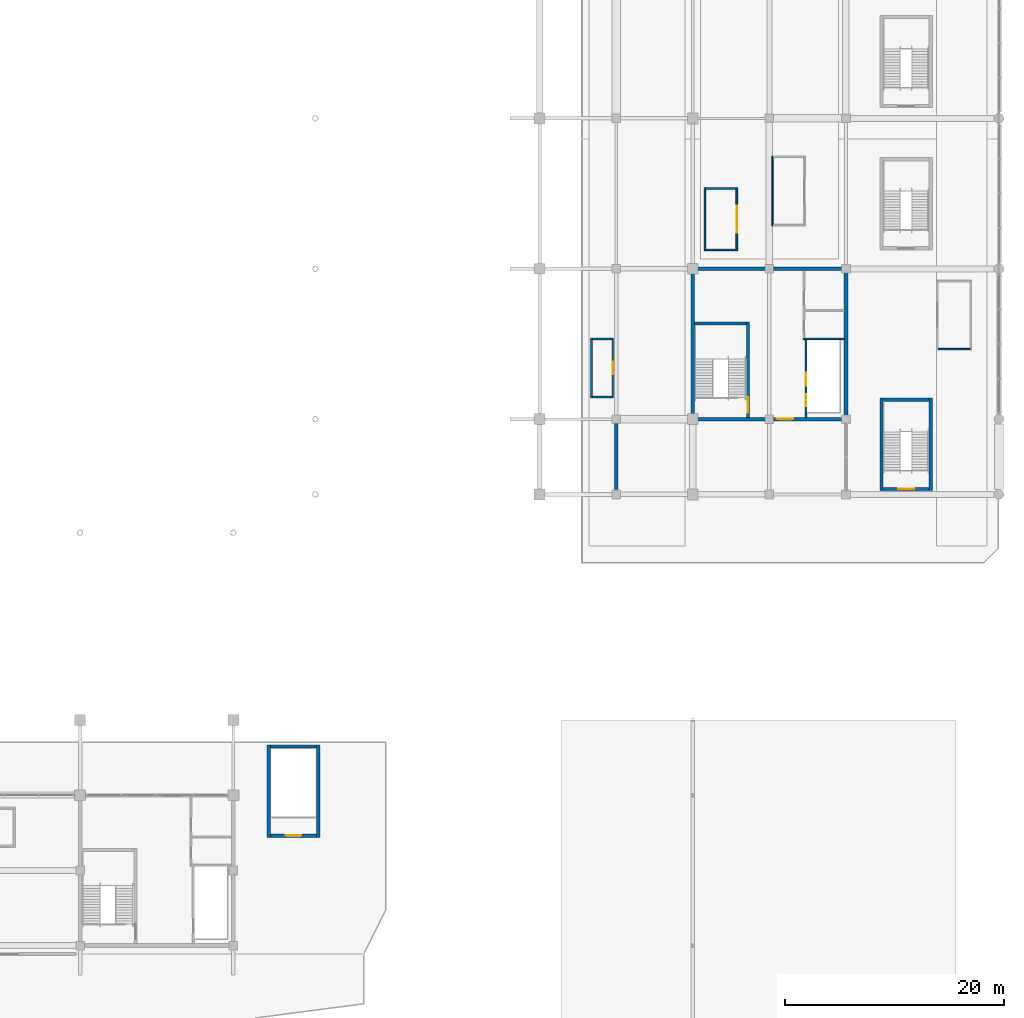
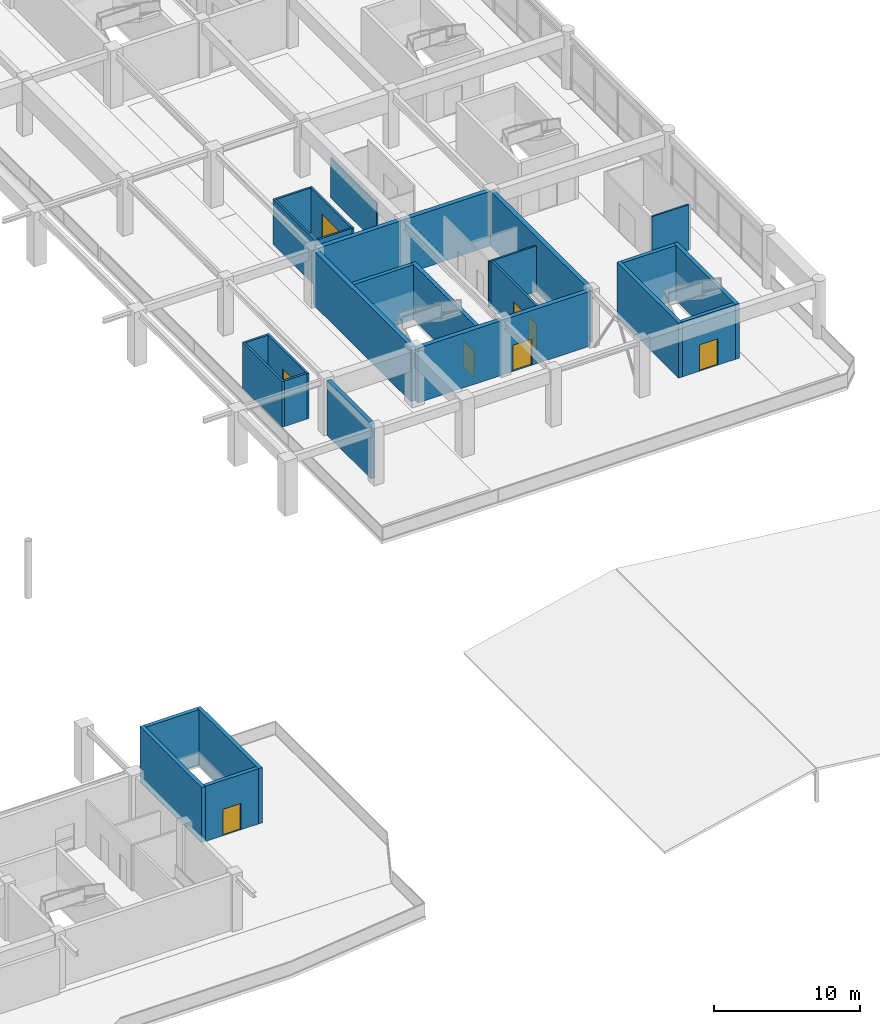
# One storey, part 68 of 91: 27 walls, 8 doors, 8 openings.
"""IFC4 building model written with IfcOpenShell, lengths in metres."""

import ifcopenshell
import ifcopenshell.guid

model = None  # the IFC model being written
_history = None  # IfcOwnerHistory: only IFC2X3 demands one
_inside = {}  # id of a spatial element -> (the spatial element, [elements in it])
_under = {}  # id of a project, library or spatial element -> (it, [spatial elements below it])
_declared = {}  # id of a project -> (the project, [libraries it declares])
_typed = {}  # id of a type object -> (the type object, [elements of that type])
_made_of = {}  # id of a material, layer set ... -> (it, [elements and type objects made of it])


def new_model(schema):
    """Start an empty IFC model of exactly this schema.

    Asked for "IFC4X3", IfcOpenShell would pick the latest addendum, in which some entities
    have other attributes; the version numbers below select the first issue.
    IFC2X3 requires an IfcOwnerHistory on every rooted entity: one is made here for all.
    """
    global model, _history
    if schema == "IFC4X3":
        model = ifcopenshell.file(schema_version=(4, 3, 0, 0))
    else:
        model = ifcopenshell.file(schema=schema)
    _inside.clear()
    _under.clear()
    _declared.clear()
    _typed.clear()
    _made_of.clear()
    _history = None
    if model.schema == "IFC2X3":
        org = make("IfcOrganization", Name="unknown")
        user = make(
            "IfcPersonAndOrganization",
            ThePerson=make("IfcPerson", FamilyName="unknown"),
            TheOrganization=org,
        )
        app = make(
            "IfcApplication",
            ApplicationDeveloper=org,
            Version="unknown",
            ApplicationFullName="unknown",
            ApplicationIdentifier="unknown",
        )
        _history = make(
            "IfcOwnerHistory",
            OwningUser=user,
            OwningApplication=app,
            ChangeAction="ADDED",
            CreationDate=0,
        )
    return model


def make(cls, **values):
    """One entity of the class cls with the attributes given. An attribute that is None is left unset."""
    return model.create_entity(
        cls, **{name: value for name, value in values.items() if value is not None}
    )


def rooted(cls, **values):
    """An entity with a GlobalId (a new one), such as an element, a storey or a relation."""
    return make(cls, GlobalId=ifcopenshell.guid.new(), OwnerHistory=_history, **values)


def si_unit(unit_type, name, prefix=None):
    """IfcSIUnit, for example si_unit("LENGTHUNIT", "METRE", prefix="MILLI")."""
    return make("IfcSIUnit", UnitType=unit_type, Prefix=prefix, Name=name)


def assignment(units):
    """IfcUnitAssignment: the units of a project."""
    return None if units is None else make("IfcUnitAssignment", Units=units)


def point(xyz):
    """IfcCartesianPoint."""
    return None if xyz is None else make("IfcCartesianPoint", Coordinates=xyz)


def direction(xyz):
    """IfcDirection."""
    return None if xyz is None else make("IfcDirection", DirectionRatios=xyz)


def frame(location, z_axis=None, x_axis=None):
    """IfcAxis2Placement3D, a coordinate frame: its origin and axes. An axis left out is left unset."""
    return make(
        "IfcAxis2Placement3D",
        Location=point(location),
        Axis=direction(z_axis),
        RefDirection=direction(x_axis),
    )


def frame_2d(location, x_axis=None):
    """IfcAxis2Placement2D, a coordinate frame in the plane: its origin and x axis."""
    return make(
        "IfcAxis2Placement2D", Location=point(location), RefDirection=direction(x_axis)
    )


def origin():
    """The frame at (0, 0, 0) with its axes left unset."""
    return frame((0.0, 0.0, 0.0))


def place(relative_to, where):
    """IfcLocalPlacement: puts the frame where relative to a parent placement (None: the world)."""
    return make(
        "IfcLocalPlacement", PlacementRelTo=relative_to, RelativePlacement=where
    )


def context(
    kind, dimensions, precision=None, world=None, true_north=None, identifier=None
):
    """IfcGeometricRepresentationContext, for example the 3D "Model" context."""
    return make(
        "IfcGeometricRepresentationContext",
        ContextIdentifier=identifier,
        ContextType=kind,
        CoordinateSpaceDimension=dimensions,
        Precision=precision,
        WorldCoordinateSystem=world,
        TrueNorth=true_north,
    )


def subcontext(parent, identifier, kind, view, scale=None):
    """IfcGeometricRepresentationSubContext, for example "Body" below "Model"."""
    return make(
        "IfcGeometricRepresentationSubContext",
        ContextIdentifier=identifier,
        ContextType=kind,
        ParentContext=parent,
        TargetScale=scale,
        TargetView=view,
    )


def project(units=None, contexts=None):
    """IfcProject with its units and contexts."""
    return rooted(
        "IfcProject",
        Name="project",
        RepresentationContexts=contexts,
        UnitsInContext=assignment(units),
    )


def spatial(cls, under=None, at=None, **own):
    """A site, building, storey or space (cls), placed at a placement, below another one or the project."""
    s = rooted(cls, ObjectPlacement=at, **own)
    if under is not None:
        _under.setdefault(under.id(), (under, []))[1].append(s)
    return s


def profile(cls, at=None, kind="AREA", **sizes):
    """A parametric profile (cls). Its sizes go by their IFC names, for example OverallWidth=200.0."""
    return make(cls, ProfileType=kind, Position=at, **sizes)


def rectangle(**sizes):
    """IfcRectangleProfileDef."""
    return profile("IfcRectangleProfileDef", **sizes)


def extrude(swept, where, along, depth):
    """IfcExtrudedAreaSolid: the profile swept, set in the frame where, extruded along a direction by depth."""
    return make(
        "IfcExtrudedAreaSolid",
        SweptArea=swept,
        Position=where,
        ExtrudedDirection=direction(along),
        Depth=depth,
    )


def shape(context_of_items, identifier, shape_type, items):
    """IfcShapeRepresentation: the items that make up one representation, for example the "Body"."""
    return make(
        "IfcShapeRepresentation",
        ContextOfItems=context_of_items,
        RepresentationIdentifier=identifier,
        RepresentationType=shape_type,
        Items=items,
    )


def material(Name=None, Category=None):
    """IfcMaterial."""
    return make("IfcMaterial", Name=Name, Category=Category)


def layer(
    of_material, thickness, ventilated=None, Name=None, Category=None, Priority=None
):
    """IfcMaterialLayer: one layer of a wall or slab, of a material (None: an air gap)."""
    return make(
        "IfcMaterialLayer",
        Material=of_material,
        LayerThickness=thickness,
        IsVentilated=ventilated,
        Name=Name,
        Category=Category,
        Priority=Priority,
    )


def layer_set(layers, Name=None):
    """IfcMaterialLayerSet."""
    return make("IfcMaterialLayerSet", MaterialLayers=layers, LayerSetName=Name)


def made_of(thing, what):
    """Note that an element or type object is made of a material, layer set ...; save() writes the relation."""
    if what is not None:
        _made_of.setdefault(what.id(), (what, []))[1].append(thing)
    return thing


def type_object(cls, material=None, **own):
    """A type object (cls), such as IfcWallType, which elements share."""
    return made_of(rooted(cls, **own), material)


def element(
    cls,
    number,
    at=None,
    inside=None,
    cuts=None,
    type_object=None,
    material=None,
    context=None,
    identifier="Body",
    shape_type=None,
    held_by="IfcProductDefinitionShape",
    body=None,
    shapes=None,
    **own,
):
    """One element of the class cls, such as IfcWall. Its Tag is "e" and its number.

    at: its placement. inside: the storey or other place that contains it. cuts: it is an
    opening in that element (IfcRelVoidsElement). A single representation is given by context,
    identifier, shape_type and body (its items); several are given by shapes. held_by: the class
    of the entity that holds the representations. save() writes the other relations.
    """
    e = rooted(cls, Tag="e%d" % number, ObjectPlacement=at, **own)
    if body is not None:
        shapes = [shape(context, identifier, shape_type, body)]
    if shapes is not None:
        e.Representation = make(held_by, Representations=shapes)
    if inside is not None:
        _inside.setdefault(inside.id(), (inside, []))[1].append(e)
    if cuts is not None:
        rooted(
            "IfcRelVoidsElement", RelatingBuildingElement=cuts, RelatedOpeningElement=e
        )
    if type_object is not None:
        _typed.setdefault(type_object.id(), (type_object, []))[1].append(e)
    return made_of(e, material)


def fill(opening, filler):
    """IfcRelFillsElement: the door or window that sits in an opening."""
    return rooted(
        "IfcRelFillsElement",
        RelatingOpeningElement=opening,
        RelatedBuildingElement=filler,
    )


def aggregate(whole, parts):
    """IfcRelAggregates: a whole, such as a stair, and the parts it consists of."""
    return rooted("IfcRelAggregates", RelatingObject=whole, RelatedObjects=parts)


def save(model, path):
    """Write the relations noted so far, then the file.

    IfcRelAggregates (storeys below a building ...), IfcRelContainedInSpatialStructure (elements
    in a storey), IfcRelDefinesByType, IfcRelAssociatesMaterial and IfcRelDeclares: one each for
    every whole, place, type object, material and project.
    """
    for whole, parts in _under.values():
        aggregate(whole, parts)
    for where, things in _inside.values():
        rooted(
            "IfcRelContainedInSpatialStructure",
            RelatedElements=things,
            RelatingStructure=where,
        )
    for kind, things in _typed.values():
        rooted("IfcRelDefinesByType", RelatedObjects=things, RelatingType=kind)
    for what, things in _made_of.values():
        rooted("IfcRelAssociatesMaterial", RelatedObjects=things, RelatingMaterial=what)
    for by, libraries in _declared.values():
        rooted("IfcRelDeclares", RelatingContext=by, RelatedDefinitions=libraries)
    model.write(path)


model = new_model("IFC4")

# Units and contexts
model_context = context("Model", 3, precision=1e-05, world=origin(), true_north=direction((0.0, 1.0)))
body_context = subcontext(model_context, "Body", "Model", "MODEL_VIEW")
ifc_project = project(units=[si_unit("LENGTHUNIT", "METRE"), si_unit("AREAUNIT", "SQUARE_METRE"), si_unit("VOLUMEUNIT", "CUBIC_METRE"), si_unit("PLANEANGLEUNIT", "RADIAN"), si_unit("MASSUNIT", "GRAM", prefix="KILO")], contexts=[model_context])

# Site, building, storey
site_placement = place(None, origin())
site = spatial("IfcSite", under=ifc_project, at=site_placement, CompositionType="ELEMENT")
building_placement = place(site_placement, origin())
building = spatial("IfcBuilding", under=site, at=building_placement, Name="Linyun Crest Stadium", CompositionType="ELEMENT")
storey_placement = place(building_placement, frame((0.0, 0.0, 11.39990234375)))
storey = spatial("IfcBuildingStorey", under=building, at=storey_placement, Name="L03", CompositionType="ELEMENT", Elevation=11.39990234375)

# Walls
ifc_material_1 = material(Name="Concrete C50", Category="concrete")
ifc_layer_1 = layer(ifc_material_1, 0.35009765625)
ifc_layer_set_1 = layer_set([ifc_layer_1], Name="Concrete C50")
wall_type_1 = type_object("IfcWallType", Name="CW01", PredefinedType="SHEAR", material=ifc_layer_set_1)
for number, where, z_axis, x_axis, name in (
    (1, (70.0, -38.949951171875, 0.0), (0.0, 0.0, 1.0), (0.0, 1.0, 0.0), "Core shear wall CW01 CORE-E1 L03.1"),
    (2, (84.0, -38.949951171875, 0.0), (0.0, 0.0, 1.0), (0.0, 1.0, 0.0), "Core shear wall CW01 CORE-E1 L03.2"),
):
    element("IfcWall", number, at=place(storey_placement, frame(where, z_axis=z_axis, x_axis=x_axis)), inside=storey, type_object=wall_type_1, Name=name, PredefinedType="SHEAR", context=body_context, shape_type="SweptSolid", body=[
        extrude(rectangle(XDim=13.39990234375, YDim=0.35009765625, at=frame_2d((6.699951171875, 0.0))), origin(), (0.0, 0.0, 1.0), 4.580078125),
    ])

# Wall, opening, door
wall_1_placement = place(storey_placement, frame((70.175048828125, -39.125, 0.0), z_axis=(0.0, 0.0, 1.0), x_axis=(1.0, 0.0, 0.0)))
wall_1 = element("IfcWall", 3, at=wall_1_placement, inside=storey, type_object=wall_type_1, Name="Core shear wall CW01 CORE-E1 L03.3", PredefinedType="SHEAR", context=body_context, shape_type="SweptSolid", body=[
    extrude(rectangle(XDim=13.64990234375, YDim=0.35009765625, at=frame_2d((6.824951171875, 0.0))), origin(), (0.0, 0.0, 1.0), 4.580078125),
])
opening_1_placement = place(wall_1_placement, frame((7.508056640625, 0.0, 0.0)))
opening_1 = element("IfcOpeningElement", 4, at=opening_1_placement, cuts=wall_1, Name="Opening D-L03-166", PredefinedType="OPENING", context=body_context, shape_type="SweptSolid", body=[
    extrude(rectangle(XDim=1.5, YDim=2.199951171875, at=frame_2d((0.75, 1.10009765625))), frame((0.0, 0.18505859375, 0.0), z_axis=(0.0, -1.0, 0.0), x_axis=(1.0, 0.0, 0.0)), (0.0, 0.0, 1.0), 0.3701171875),
])
ifc_material_2 = material(Name="Galvanized steel Class A fire door", Category="steel")
ifc_layer_2 = layer(ifc_material_2, 0.054931640625)
ifc_layer_set_2 = layer_set([ifc_layer_2], Name="Galvanized steel Class A fire door")
door_type_1 = type_object("IfcDoorType", Name="FD01", OperationType="NOTDEFINED", PredefinedType="DOOR", material=ifc_layer_set_2)
door_1_placement = place(opening_1_placement, origin())
door_1 = element("IfcDoor", 5, at=door_1_placement, inside=storey, type_object=door_type_1, Name="Door D-L03-166", OperationType="SINGLE_SWING_RIGHT", OverallHeight=2.199951171875, OverallWidth=1.5, PredefinedType="DOOR", context=body_context, shape_type="SweptSolid", body=[
    extrude(rectangle(XDim=1.5, YDim=2.199951171875, at=frame_2d((0.75, 1.10009765625))), frame((0.0, 0.02490234375, 0.0), z_axis=(0.0, -1.0, 0.0), x_axis=(1.0, 0.0, 0.0)), (0.0, 0.0, 1.0), 0.050048828125),
])
fill(opening_1, door_1)

# Wall
wall_2_placement = place(storey_placement, frame((70.175048828125, -25.375, 0.0), z_axis=(0.0, 0.0, 1.0), x_axis=(1.0, 0.0, 0.0)))
element("IfcWall", 6, at=wall_2_placement, inside=storey, type_object=wall_type_1, Name="Core shear wall CW01 CORE-E1 L03.4", PredefinedType="SHEAR", context=body_context, shape_type="SweptSolid", body=[
    extrude(rectangle(XDim=13.64990234375, YDim=0.35009765625, at=frame_2d((6.824951171875, 0.0))), origin(), (0.0, 0.0, 1.0), 4.580078125),
])

# Wall, openings, doors
ifc_material_3 = material(Name="Autoclaved aerated concrete block fire partition", Category="concrete")
ifc_layer_3 = layer(ifc_material_3, 0.179931640625)
ifc_layer_set_3 = layer_set([ifc_layer_3], Name="Autoclaved aerated concrete block fire partition")
wall_type_2 = type_object("IfcWallType", Name="PW12", PredefinedType="PARTITIONING", material=ifc_layer_set_3)
wall_3_placement = place(storey_placement, frame((80.35009765625, -38.949951171875, 0.0), z_axis=(0.0, 0.0, 1.0), x_axis=(0.0, 1.0, 0.0)))
wall_3 = element("IfcWall", 7, at=wall_3_placement, inside=storey, type_object=wall_type_2, Name="Partition PW12 L03 63", PredefinedType="PARTITIONING", context=body_context, shape_type="SweptSolid", body=[
    extrude(rectangle(XDim=7.10498046875, YDim=0.179931640625, at=frame_2d((3.552490234375, 0.0))), origin(), (0.0, 0.0, 1.0), 3.820068359375),
])
opening_2_placement = place(wall_3_placement, frame((1.02490234375, 0.0, 0.0)))
opening_2 = element("IfcOpeningElement", 8, at=opening_2_placement, cuts=wall_3, Name="Opening LD055", PredefinedType="OPENING", context=body_context, shape_type="SweptSolid", body=[
    extrude(rectangle(XDim=1.10009765625, YDim=2.199951171875, at=frame_2d((0.550048828125, 1.10009765625))), frame((0.0, 0.099853515625, 0.0), z_axis=(0.0, -1.0, 0.0), x_axis=(1.0, 0.0, 0.0)), (0.0, 0.0, 1.0), 0.199951171875),
])
opening_3_placement = place(wall_3_placement, frame((2.875, 0.0, 0.0)))
opening_3 = element("IfcOpeningElement", 9, at=opening_3_placement, cuts=wall_3, Name="Opening LD056", PredefinedType="OPENING", context=body_context, shape_type="SweptSolid", body=[
    extrude(rectangle(XDim=1.199951171875, YDim=2.25, at=frame_2d((0.60009765625, 1.125))), frame((0.0, 0.099853515625, 0.0), z_axis=(0.0, -1.0, 0.0), x_axis=(1.0, 0.0, 0.0)), (0.0, 0.0, 1.0), 0.199951171875),
])
ifc_material_4 = material(Name="Brushed stainless sliding lift door")
ifc_layer_4 = layer(ifc_material_4, 0.050048828125)
ifc_layer_set_4 = layer_set([ifc_layer_4], Name="Brushed stainless sliding lift door")
door_type_2 = type_object("IfcDoorType", Name="LD01", OperationType="NOTDEFINED", PredefinedType="DOOR", material=ifc_layer_set_4)
door_2_placement = place(opening_2_placement, origin())
door_2 = element("IfcDoor", 10, at=door_2_placement, inside=storey, type_object=door_type_2, Name="Lift landing door LD055", OperationType="DOUBLE_DOOR_SLIDING", OverallHeight=2.199951171875, OverallWidth=1.10009765625, PredefinedType="DOOR", context=body_context, shape_type="SweptSolid", body=[
    extrude(rectangle(XDim=1.10009765625, YDim=2.199951171875, at=frame_2d((0.550048828125, 1.10009765625))), frame((0.0, 0.02490234375, 0.0), z_axis=(0.0, -1.0, 0.0), x_axis=(1.0, 0.0, 0.0)), (0.0, 0.0, 1.0), 0.050048828125),
])
fill(opening_2, door_2)
ifc_material_5 = material(Name="Brushed stainless sliding lift door")
ifc_layer_5 = layer(ifc_material_5, 0.050048828125)
ifc_layer_set_5 = layer_set([ifc_layer_5], Name="Brushed stainless sliding lift door")
door_type_3 = type_object("IfcDoorType", Name="LD02", OperationType="NOTDEFINED", PredefinedType="DOOR", material=ifc_layer_set_5)
door_3_placement = place(opening_3_placement, origin())
door_3 = element("IfcDoor", 11, at=door_3_placement, inside=storey, type_object=door_type_3, Name="Lift landing door LD056", OperationType="DOUBLE_DOOR_SLIDING", OverallHeight=2.25, OverallWidth=1.199951171875, PredefinedType="DOOR", context=body_context, shape_type="SweptSolid", body=[
    extrude(rectangle(XDim=1.199951171875, YDim=2.25, at=frame_2d((0.60009765625, 1.125))), frame((0.0, 0.02490234375, 0.0), z_axis=(0.0, -1.0, 0.0), x_axis=(1.0, 0.0, 0.0)), (0.0, 0.0, 1.0), 0.050048828125),
])
fill(opening_3, door_3)

# Wall, opening, door
ifc_material_6 = material(Name="Double steel-stud acoustic fire partition", Category="steel")
ifc_layer_6 = layer(ifc_material_6, 0.1650390625)
ifc_layer_set_6 = layer_set([ifc_layer_6], Name="Double steel-stud acoustic fire partition")
wall_type_3 = type_object("IfcWallType", Name="PW13", PredefinedType="PARTITIONING", material=ifc_layer_set_6)
wall_4_placement = place(storey_placement, frame((62.68798828125, -31.7119140625, 0.0), z_axis=(0.0, 0.0, 1.0), x_axis=(0.0, -1.0, 0.0)))
wall_4 = element("IfcWall", 12, at=wall_4_placement, inside=storey, type_object=wall_type_3, Name="Partition PW13 L03 206", PredefinedType="PARTITIONING", context=body_context, shape_type="SweptSolid", body=[
    extrude(rectangle(XDim=5.469970703125, YDim=0.1650390625, at=frame_2d((2.73486328125, 0.0))), origin(), (0.0, 0.0, 1.0), 3.820068359375),
])
opening_4_placement = place(wall_4_placement, frame((2.159912109375, 0.0, 0.0)))
opening_4 = element("IfcOpeningElement", 13, at=opening_4_placement, cuts=wall_4, Name="Opening D-L03-469", PredefinedType="OPENING", context=body_context, shape_type="SweptSolid", body=[
    extrude(rectangle(XDim=1.14990234375, YDim=2.199951171875, at=frame_2d((0.574951171875, 1.10009765625))), frame((0.0, 0.092529296875, 0.0), z_axis=(0.0, -1.0, 0.0), x_axis=(1.0, 0.0, 0.0)), (0.0, 0.0, 1.0), 0.18505859375),
])
ifc_material_7 = material(Name="Solid timber acoustic door", Category="wood")
ifc_layer_7 = layer(ifc_material_7, 0.050048828125)
ifc_layer_set_7 = layer_set([ifc_layer_7], Name="Solid timber acoustic door")
door_type_4 = type_object("IfcDoorType", Name="ID15", OperationType="NOTDEFINED", PredefinedType="DOOR", material=ifc_layer_set_7)
door_4_placement = place(opening_4_placement, origin())
door_4 = element("IfcDoor", 14, at=door_4_placement, inside=storey, type_object=door_type_4, Name="Door D-L03-469", OperationType="SINGLE_SWING_LEFT", OverallHeight=2.199951171875, OverallWidth=1.14990234375, PredefinedType="DOOR", context=body_context, shape_type="SweptSolid", body=[
    extrude(rectangle(XDim=1.14990234375, YDim=2.199951171875, at=frame_2d((0.574951171875, 1.10009765625))), frame((0.0, 0.02490234375, 0.0), z_axis=(0.0, -1.0, 0.0), x_axis=(1.0, 0.0, 0.0)), (0.0, 0.0, 1.0), 0.050048828125),
])
fill(opening_4, door_4)

# Walls
wall_5_placement = place(storey_placement, frame((60.748046875, -37.181884765625, 0.0), z_axis=(0.0, 0.0, 1.0), x_axis=(0.0, 1.0, 0.0)))
element("IfcWall", 15, at=wall_5_placement, inside=storey, type_object=wall_type_3, Name="Enclosure partition PW13 L03 334", PredefinedType="PARTITIONING", context=body_context, shape_type="SweptSolid", body=[
    extrude(rectangle(XDim=5.469970703125, YDim=0.1650390625, at=frame_2d((2.73486328125, 0.0))), origin(), (0.0, 0.0, 1.0), 3.820068359375),
])
for number, where, z_axis, x_axis, name in (
    (16, (60.8310546875, -37.09912109375, 0.0), (0.0, 0.0, 1.0), (1.0, 0.0, 0.0), "Enclosure partition PW13 L03 335"),
    (17, (60.8310546875, -31.794921875, 0.0), (0.0, 0.0, 1.0), (1.0, 0.0, 0.0), "Enclosure partition PW13 L03 336"),
):
    element("IfcWall", number, at=place(storey_placement, frame(where, z_axis=z_axis, x_axis=x_axis)), inside=storey, type_object=wall_type_3, Name=name, PredefinedType="PARTITIONING", context=body_context, shape_type="SweptSolid", body=[
        extrude(rectangle(XDim=1.77392578125, YDim=0.1650390625, at=frame_2d((0.886962890625, 0.0))), origin(), (0.0, 0.0, 1.0), 3.820068359375),
    ])

# Wall, opening, door
ifc_material_8 = material(Name="Steel-stud gypsum corridor fire partition", Category="steel")
ifc_layer_8 = layer(ifc_material_8, 0.14990234375)
ifc_layer_set_8 = layer_set([ifc_layer_8], Name="Steel-stud gypsum corridor fire partition")
wall_type_4 = type_object("IfcWallType", Name="PW14", PredefinedType="PARTITIONING", material=ifc_layer_set_8)
wall_6_placement = place(storey_placement, frame((74.02392578125, -17.965087890625, 0.0), z_axis=(0.0, 0.0, 1.0), x_axis=(0.0, -1.0, 0.0)))
wall_6 = element("IfcWall", 18, at=wall_6_placement, inside=storey, type_object=wall_type_4, Name="Partition PW14 L03 207", PredefinedType="PARTITIONING", context=body_context, shape_type="SweptSolid", body=[
    extrude(rectangle(XDim=5.760009765625, YDim=0.14990234375, at=frame_2d((2.8798828125, 0.0))), origin(), (0.0, 0.0, 1.0), 3.820068359375),
])
opening_5_placement = place(wall_6_placement, frame((1.6298828125, 0.0, 0.0)))
opening_5 = element("IfcOpeningElement", 19, at=opening_5_placement, cuts=wall_6, Name="Opening D-L03-470", PredefinedType="OPENING", context=body_context, shape_type="SweptSolid", body=[
    extrude(rectangle(XDim=2.5, YDim=2.5, at=frame_2d((1.25, 1.25))), frame((0.0, 0.0849609375, 0.0), z_axis=(0.0, -1.0, 0.0), x_axis=(1.0, 0.0, 0.0)), (0.0, 0.0, 1.0), 0.169921875),
])
ifc_material_9 = material(Name="Verdigris framed glazed concourse door")
ifc_layer_9 = layer(ifc_material_9, 0.054931640625)
ifc_layer_set_9 = layer_set([ifc_layer_9], Name="Verdigris framed glazed concourse door")
door_type_5 = type_object("IfcDoorType", Name="ID16", OperationType="NOTDEFINED", PredefinedType="DOOR", material=ifc_layer_set_9)
door_5_placement = place(opening_5_placement, origin())
door_5 = element("IfcDoor", 20, at=door_5_placement, inside=storey, type_object=door_type_5, Name="Door D-L03-470", OperationType="DOUBLE_DOOR_SINGLE_SWING", OverallHeight=2.5, OverallWidth=2.5, PredefinedType="DOOR", context=body_context, shape_type="SweptSolid", body=[
    extrude(rectangle(XDim=2.5, YDim=2.5, at=frame_2d((1.25, 1.25))), frame((0.0, 0.02490234375, 0.0), z_axis=(0.0, -1.0, 0.0), x_axis=(1.0, 0.0, 0.0)), (0.0, 0.0, 1.0), 0.050048828125),
])
fill(opening_5, door_5)

# Walls
wall_7_placement = place(storey_placement, frame((71.10400390625, -23.72509765625, 0.0), z_axis=(0.0, 0.0, 1.0), x_axis=(0.0, 1.0, 0.0)))
element("IfcWall", 21, at=wall_7_placement, inside=storey, type_object=wall_type_4, Name="Enclosure partition PW14 L03 337", PredefinedType="PARTITIONING", context=body_context, shape_type="SweptSolid", body=[
    extrude(rectangle(XDim=5.760009765625, YDim=0.14990234375, at=frame_2d((2.8798828125, 0.0))), origin(), (0.0, 0.0, 1.0), 3.820068359375),
])
for number, where, z_axis, x_axis, name in (
    (22, (71.178955078125, -23.64990234375, 0.0), (0.0, 0.0, 1.0), (1.0, 0.0, 0.0), "Enclosure partition PW14 L03 338"),
    (23, (71.178955078125, -18.0400390625, 0.0), (0.0, 0.0, 1.0), (1.0, 0.0, 0.0), "Enclosure partition PW14 L03 339"),
):
    element("IfcWall", number, at=place(storey_placement, frame(where, z_axis=z_axis, x_axis=x_axis)), inside=storey, type_object=wall_type_4, Name=name, PredefinedType="PARTITIONING", context=body_context, shape_type="SweptSolid", body=[
        extrude(rectangle(XDim=2.77001953125, YDim=0.14990234375, at=frame_2d((1.385009765625, 0.0))), origin(), (0.0, 0.0, 1.0), 3.820068359375),
    ])
ifc_material_10 = material(Name="Moisture-resistant ceramic-tiled wet-room wall")
ifc_layer_10 = layer(ifc_material_10, 0.139892578125)
ifc_layer_set_10 = layer_set([ifc_layer_10], Name="Moisture-resistant ceramic-tiled wet-room wall")
wall_type_5 = type_object("IfcWallType", Name="PW15", PredefinedType="PARTITIONING", material=ifc_layer_set_10)
wall_8_placement = place(storey_placement, frame((80.080078125, -31.77490234375, 0.0), z_axis=(0.0, 0.0, 1.0), x_axis=(1.0, 0.0, 0.0)))
element("IfcWall", 24, at=wall_8_placement, inside=storey, type_object=wall_type_5, Name="Enclosure partition PW15 L03 49", PredefinedType="PARTITIONING", context=body_context, shape_type="SweptSolid", body=[
    extrude(rectangle(XDim=3.744873046875, YDim=0.139892578125, at=frame_2d((1.87255859375, 0.0))), origin(), (0.0, 0.0, 1.0), 3.820068359375),
])
ifc_material_11 = material(Name="Steel-stud hospitality suite partition", Category="steel")
ifc_layer_11 = layer(ifc_material_11, 0.125)
ifc_layer_set_11 = layer_set([ifc_layer_11], Name="Steel-stud hospitality suite partition")
wall_type_6 = type_object("IfcWallType", Name="PW17", PredefinedType="PARTITIONING", material=ifc_layer_set_11)
wall_9_placement = place(storey_placement, frame((92.4169921875, -32.721923828125, 0.0), z_axis=(0.0, 0.0, 1.0), x_axis=(1.0, 0.0, 0.0)))
element("IfcWall", 25, at=wall_9_placement, inside=storey, type_object=wall_type_6, Name="Enclosure partition PW17 L03 344", PredefinedType="PARTITIONING", context=body_context, shape_type="SweptSolid", body=[
    extrude(rectangle(XDim=2.93408203125, YDim=0.125, at=frame_2d((1.467041015625, 0.0))), origin(), (0.0, 0.0, 1.0), 3.820068359375),
])
ifc_material_12 = material(Name="Glazed hospitality salon screen partition")
ifc_layer_12 = layer(ifc_material_12, 0.114990234375)
ifc_layer_set_12 = layer_set([ifc_layer_12], Name="Glazed hospitality salon screen partition")
wall_type_7 = type_object("IfcWallType", Name="PW21", PredefinedType="PARTITIONING", material=ifc_layer_set_12)
wall_10_placement = place(storey_placement, frame((77.287109375, -21.426025390625, 0.0), z_axis=(0.0, 0.0, 1.0), x_axis=(0.0, 1.0, 0.0)))
element("IfcWall", 26, at=wall_10_placement, inside=storey, type_object=wall_type_7, Name="Enclosure partition PW21 L03 487", PredefinedType="PARTITIONING", context=body_context, shape_type="SweptSolid", body=[
    extrude(rectangle(XDim=6.340087890625, YDim=0.114990234375, at=frame_2d((3.169921875, 0.0))), origin(), (0.0, 0.0, 1.0), 3.35498046875),
])
ifc_material_13 = material(Name="Concrete C50", Category="concrete")
ifc_layer_13 = layer(ifc_material_13, 0.300048828125)
ifc_layer_set_13 = layer_set([ifc_layer_13], Name="Concrete C50")
wall_type_8 = type_object("IfcWallType", Name="SW01", PredefinedType="SHEAR", material=ifc_layer_set_13)
wall_11_placement = place(storey_placement, frame((63.0, -45.550048828125, 0.0), z_axis=(0.0, 0.0, 1.0), x_axis=(0.0, 1.0, 0.0)))
element("IfcWall", 27, at=wall_11_placement, inside=storey, type_object=wall_type_8, Name="Shear wall SW01 L03 312", PredefinedType="SHEAR", context=body_context, shape_type="SweptSolid", body=[
    extrude(rectangle(XDim=6.050048828125, YDim=0.300048828125, at=frame_2d((3.02490234375, 0.0))), origin(), (0.0, 0.0, 1.0), 4.580078125),
])

# Wall, opening, door
wall_12_placement = place(storey_placement, frame((75.050048828125, -38.949951171875, 0.0), z_axis=(0.0, 0.0, 1.0), x_axis=(0.0, 1.0, 0.0)))
wall_12 = element("IfcWall", 28, at=wall_12_placement, inside=storey, type_object=wall_type_8, Name="Core stair east bearing wall SW01 4 L03", PredefinedType="SHEAR", context=body_context, shape_type="SweptSolid", body=[
    extrude(rectangle(XDim=8.724853515625, YDim=0.300048828125, at=frame_2d((4.3623046875, 0.0))), origin(), (0.0, 0.0, 1.0), 4.580078125),
])
opening_6_placement = place(wall_12_placement, frame((0.39501953125, 0.0, 0.0)))
opening_6 = element("IfcOpeningElement", 29, at=opening_6_placement, cuts=wall_12, Name="Opening D-L03-167", PredefinedType="OPENING", context=body_context, shape_type="SweptSolid", body=[
    extrude(rectangle(XDim=1.449951171875, YDim=2.199951171875, at=frame_2d((0.72509765625, 1.10009765625))), frame((0.0, 0.159912109375, 0.0), z_axis=(0.0, -1.0, 0.0), x_axis=(1.0, 0.0, 0.0)), (0.0, 0.0, 1.0), 0.320068359375),
])
ifc_material_14 = material(Name="Galvanized steel Class A fire door", Category="steel")
ifc_layer_14 = layer(ifc_material_14, 0.054931640625)
ifc_layer_set_14 = layer_set([ifc_layer_14], Name="Galvanized steel Class A fire door")
door_type_6 = type_object("IfcDoorType", Name="FD02", OperationType="NOTDEFINED", PredefinedType="DOOR", material=ifc_layer_set_14)
door_6_placement = place(opening_6_placement, origin())
door_6 = element("IfcDoor", 30, at=door_6_placement, inside=storey, type_object=door_type_6, Name="Door D-L03-167", OperationType="SINGLE_SWING_LEFT", OverallHeight=2.199951171875, OverallWidth=1.449951171875, PredefinedType="DOOR", context=body_context, shape_type="SweptSolid", body=[
    extrude(rectangle(XDim=1.449951171875, YDim=2.199951171875, at=frame_2d((0.72509765625, 1.10009765625))), frame((0.0, 0.02490234375, 0.0), z_axis=(0.0, -1.0, 0.0), x_axis=(1.0, 0.0, 0.0)), (0.0, 0.0, 1.0), 0.050048828125),
])
fill(opening_6, door_6)

# Wall
wall_13_placement = place(storey_placement, frame((70.175048828125, -30.375, 0.0), z_axis=(0.0, 0.0, 1.0), x_axis=(1.0, 0.0, 0.0)))
element("IfcWall", 31, at=wall_13_placement, inside=storey, type_object=wall_type_8, Name="Core stair bearing wall SW01 4 L03", PredefinedType="SHEAR", context=body_context, shape_type="SweptSolid", body=[
    extrude(rectangle(XDim=4.724853515625, YDim=0.300048828125, at=frame_2d((2.3623046875, 0.0))), origin(), (0.0, 0.0, 1.0), 4.580078125),
])

# Wall, opening, door
wall_14_placement = place(storey_placement, frame((87.39990234375, -45.5, 0.0), z_axis=(0.0, 0.0, 1.0), x_axis=(1.0, 0.0, 0.0)))
wall_14 = element("IfcWall", 32, at=wall_14_placement, inside=storey, type_object=wall_type_8, Name="Stair shaft wall SW01 STR-18 L03 S", PredefinedType="SHEAR", context=body_context, shape_type="SweptSolid", body=[
    extrude(rectangle(XDim=4.2001953125, YDim=0.300048828125, at=frame_2d((2.10009765625, 0.0))), origin(), (0.0, 0.0, 1.0), 4.580078125),
])
opening_7_placement = place(wall_14_placement, frame((1.375, 0.0, 0.0)))
opening_7 = element("IfcOpeningElement", 33, at=opening_7_placement, cuts=wall_14, Name="Opening D-L03-570", PredefinedType="OPENING", context=body_context, shape_type="SweptSolid", body=[
    extrude(rectangle(XDim=1.449951171875, YDim=2.199951171875, at=frame_2d((0.72509765625, 1.10009765625))), frame((0.0, 0.159912109375, 0.0), z_axis=(0.0, -1.0, 0.0), x_axis=(1.0, 0.0, 0.0)), (0.0, 0.0, 1.0), 0.320068359375),
])
door_7_placement = place(opening_7_placement, origin())
door_7 = element("IfcDoor", 34, at=door_7_placement, inside=storey, type_object=door_type_6, Name="Door D-L03-570", OperationType="SINGLE_SWING_RIGHT", OverallHeight=2.199951171875, OverallWidth=1.449951171875, PredefinedType="DOOR", context=body_context, shape_type="SweptSolid", body=[
    extrude(rectangle(XDim=1.449951171875, YDim=2.199951171875, at=frame_2d((0.72509765625, 1.10009765625))), frame((0.0, 0.02490234375, 0.0), z_axis=(0.0, -1.0, 0.0), x_axis=(1.0, 0.0, 0.0)), (0.0, 0.0, 1.0), 0.050048828125),
])
fill(opening_7, door_7)

# Walls
wall_15_placement = place(storey_placement, frame((87.39990234375, -37.35009765625, 0.0), z_axis=(0.0, 0.0, 1.0), x_axis=(1.0, 0.0, 0.0)))
element("IfcWall", 35, at=wall_15_placement, inside=storey, type_object=wall_type_8, Name="Stair shaft wall SW01 STR-18 L03 N", PredefinedType="SHEAR", context=body_context, shape_type="SweptSolid", body=[
    extrude(rectangle(XDim=4.2001953125, YDim=0.300048828125, at=frame_2d((2.10009765625, 0.0))), origin(), (0.0, 0.0, 1.0), 4.580078125),
])
for number, where, z_axis, x_axis, name in (
    (36, (87.25, -45.64990234375, 0.0), (0.0, 0.0, 1.0), (0.0, 1.0, 0.0), "Stair shaft wall SW01 STR-18 L03 W"),
    (37, (91.75, -45.64990234375, 0.0), (0.0, 0.0, 1.0), (0.0, 1.0, 0.0), "Stair shaft wall SW01 STR-18 L03 E"),
):
    element("IfcWall", number, at=place(storey_placement, frame(where, z_axis=z_axis, x_axis=x_axis)), inside=storey, type_object=wall_type_8, Name=name, PredefinedType="SHEAR", context=body_context, shape_type="SweptSolid", body=[
        extrude(rectangle(XDim=8.449951171875, YDim=0.300048828125, at=frame_2d((4.22509765625, 0.0))), origin(), (0.0, 0.0, 1.0), 4.580078125),
    ])

# Wall, opening, door
wall_16_placement = place(storey_placement, frame((31.39990234375, -77.199951171875, 0.0), z_axis=(0.0, 0.0, 1.0), x_axis=(1.0, 0.0, 0.0)))
wall_16 = element("IfcWall", 38, at=wall_16_placement, inside=storey, type_object=wall_type_8, Name="Stair shaft wall SW01 STR-29 L03 S", PredefinedType="SHEAR", context=body_context, shape_type="SweptSolid", body=[
    extrude(rectangle(XDim=4.2001953125, YDim=0.300048828125, at=frame_2d((2.10009765625, 0.0))), origin(), (0.0, 0.0, 1.0), 4.6201171875),
])
opening_8_placement = place(wall_16_placement, frame((1.375, 0.0, 0.0)))
opening_8 = element("IfcOpeningElement", 39, at=opening_8_placement, cuts=wall_16, Name="Opening D-L03-626", PredefinedType="OPENING", context=body_context, shape_type="SweptSolid", body=[
    extrude(rectangle(XDim=1.449951171875, YDim=2.199951171875, at=frame_2d((0.72509765625, 1.10009765625))), frame((0.0, 0.159912109375, 0.0), z_axis=(0.0, -1.0, 0.0), x_axis=(1.0, 0.0, 0.0)), (0.0, 0.0, 1.0), 0.320068359375),
])
door_8_placement = place(opening_8_placement, origin())
door_8 = element("IfcDoor", 40, at=door_8_placement, inside=storey, type_object=door_type_6, Name="Door D-L03-626", OperationType="SINGLE_SWING_RIGHT", OverallHeight=2.199951171875, OverallWidth=1.449951171875, PredefinedType="DOOR", context=body_context, shape_type="SweptSolid", body=[
    extrude(rectangle(XDim=1.449951171875, YDim=2.199951171875, at=frame_2d((0.72509765625, 1.10009765625))), frame((0.0, 0.02490234375, 0.0), z_axis=(0.0, -1.0, 0.0), x_axis=(1.0, 0.0, 0.0)), (0.0, 0.0, 1.0), 0.050048828125),
])
fill(opening_8, door_8)

# Walls
wall_17_placement = place(storey_placement, frame((31.39990234375, -69.050048828125, 0.0), z_axis=(0.0, 0.0, 1.0), x_axis=(1.0, 0.0, 0.0)))
element("IfcWall", 41, at=wall_17_placement, inside=storey, type_object=wall_type_8, Name="Stair shaft wall SW01 STR-29 L03 N", PredefinedType="SHEAR", context=body_context, shape_type="SweptSolid", body=[
    extrude(rectangle(XDim=4.2001953125, YDim=0.300048828125, at=frame_2d((2.10009765625, 0.0))), origin(), (0.0, 0.0, 1.0), 4.6201171875),
])
for number, where, z_axis, x_axis, name in (
    (42, (31.25, -77.35009765625, 0.0), (0.0, 0.0, 1.0), (0.0, 1.0, 0.0), "Stair shaft wall SW01 STR-29 L03 W"),
    (43, (35.75, -77.35009765625, 0.0), (0.0, 0.0, 1.0), (0.0, 1.0, 0.0), "Stair shaft wall SW01 STR-29 L03 E"),
):
    element("IfcWall", number, at=place(storey_placement, frame(where, z_axis=z_axis, x_axis=x_axis)), inside=storey, type_object=wall_type_8, Name=name, PredefinedType="SHEAR", context=body_context, shape_type="SweptSolid", body=[
        extrude(rectangle(XDim=8.4501953125, YDim=0.300048828125, at=frame_2d((4.22509765625, 0.0))), origin(), (0.0, 0.0, 1.0), 4.6201171875),
    ])

save(model, "model.ifc")
